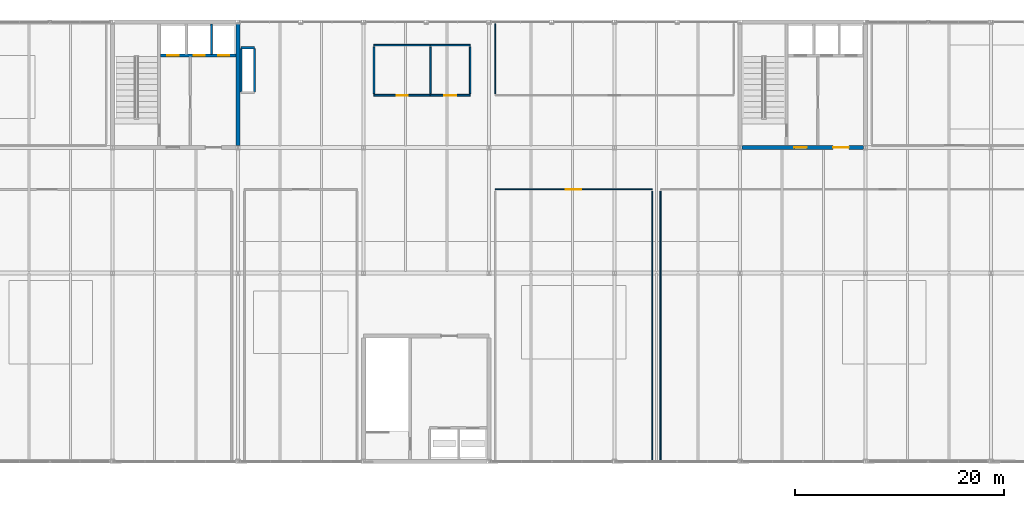
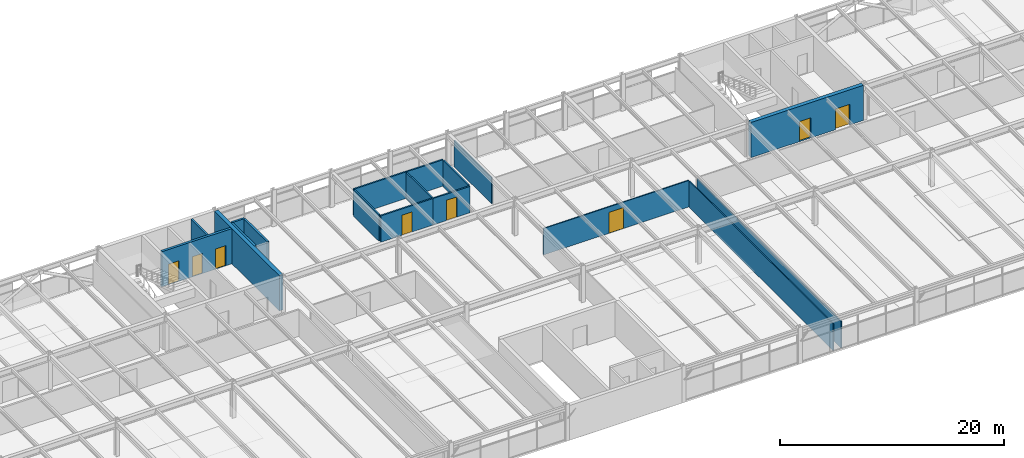
# One storey, part 46 of 52: 18 walls, 8 doors, 8 openings.
"""IFC4 building model written with IfcOpenShell, lengths in metres."""

from ifc_helpers import new_model, si_unit, direction, frame, frame_2d, origin, place, context, subcontext, project, spatial, rectangle, extrude, material, layer, layer_set, type_object, element, fill, save


model = new_model("IFC4")

# Units and contexts
model_context = context("Model", 3, precision=1e-05, world=origin(), true_north=direction((0.0, 1.0)))
body_context = subcontext(model_context, "Body", "Model", "MODEL_VIEW")
ifc_project = project(units=[si_unit("LENGTHUNIT", "METRE"), si_unit("AREAUNIT", "SQUARE_METRE"), si_unit("VOLUMEUNIT", "CUBIC_METRE"), si_unit("PLANEANGLEUNIT", "RADIAN"), si_unit("MASSUNIT", "GRAM", prefix="KILO")], contexts=[model_context])

# Site, building, storey
site_placement = place(None, origin())
site = spatial("IfcSite", under=ifc_project, at=site_placement, CompositionType="ELEMENT")
building_placement = place(site_placement, origin())
building = spatial("IfcBuilding", under=site, at=building_placement, Name="Girod Span Mobility Hub", CompositionType="ELEMENT")
storey_placement = place(building_placement, frame((0.0, 0.0, 45.60009765625)))
storey = spatial("IfcBuildingStorey", under=building, at=storey_placement, Name="L11", CompositionType="ELEMENT", Elevation=45.60009765625)

# Wall
ifc_material_1 = material(Name="Concrete C40/50", Category="concrete")
ifc_layer_1 = layer(ifc_material_1, 0.39990234375)
ifc_layer_set_1 = layer_set([ifc_layer_1], Name="Concrete C40/50")
wall_type_1 = type_object("IfcWallType", Name="W-CW-400", PredefinedType="SHEAR", material=ifc_layer_set_1)
wall_1_placement = place(storey_placement, frame((60.0, 57.193603515625, 0.0), z_axis=(0.0, 0.0, 1.0), x_axis=(0.0, 1.0, 0.0)))
element("IfcWall", 1, at=wall_1_placement, inside=storey, type_object=wall_type_1, Name="Core C1 Shear Wall E L11", PredefinedType="SHEAR", context=body_context, shape_type="SweptSolid", body=[
    extrude(rectangle(XDim=11.61279296875, YDim=0.39990234375, at=frame_2d((5.806396484375, 0.0))), origin(), (0.0, 0.0, 1.0), 3.843017578125),
])

# Wall, openings, doors
wall_2_placement = place(storey_placement, frame((108.196533203125, 57.0, 0.0), z_axis=(0.0, 0.0, 1.0), x_axis=(1.0, 0.0, 0.0)))
wall_2 = element("IfcWall", 2, at=wall_2_placement, inside=storey, type_object=wall_type_1, Name="Core C2 Shear Wall S L11", PredefinedType="SHEAR", context=body_context, shape_type="SweptSolid", body=[
    extrude(rectangle(XDim=11.60693359375, YDim=0.39990234375, at=frame_2d((5.803466796875, 0.0))), origin(), (0.0, 0.0, 1.0), 3.843017578125),
])
opening_1_placement = place(wall_2_placement, frame((5.00390625, 0.0, 0.0)))
opening_1 = element("IfcOpeningElement", 3, at=opening_1_placement, cuts=wall_2, Name="Opening D-FL-C2-L11", PredefinedType="OPENING", context=body_context, shape_type="SweptSolid", body=[
    extrude(rectangle(XDim=1.199951171875, YDim=2.199951171875, at=frame_2d((0.60009765625, 1.10009765625))), frame((0.0, 0.21484375, 0.0), z_axis=(0.0, -1.0, 0.0), x_axis=(1.0, 0.0, 0.0)), (0.0, 0.0, 1.0), 0.429931640625),
])
opening_2_placement = place(wall_2_placement, frame((8.7041015625, 0.0, 0.0)))
opening_2 = element("IfcOpeningElement", 4, at=opening_2_placement, cuts=wall_2, Name="Opening D-LB-C2-L11", PredefinedType="OPENING", context=body_context, shape_type="SweptSolid", body=[
    extrude(rectangle(XDim=1.5, YDim=2.25, at=frame_2d((0.75, 1.125))), frame((0.0, 0.21484375, 0.0), z_axis=(0.0, -1.0, 0.0), x_axis=(1.0, 0.0, 0.0)), (0.0, 0.0, 1.0), 0.429931640625),
])
ifc_material_2 = material(Name="Fire-Rated Insulated Hollow Metal Steel", Category="steel")
door_type_1 = type_object("IfcDoorType", Name="DT-FD-03", OperationType="DOUBLE_DOOR_SINGLE_SWING", PredefinedType="DOOR", material=ifc_material_2)
door_1_placement = place(opening_2_placement, origin())
door_1 = element("IfcDoor", 5, at=door_1_placement, inside=storey, type_object=door_type_1, Name="Lift Lobby Entry Door C2 L11", OperationType="DOUBLE_DOOR_SINGLE_SWING", OverallHeight=2.25, OverallWidth=1.5, PredefinedType="DOOR", context=body_context, shape_type="SweptSolid", body=[
    extrude(rectangle(XDim=1.5, YDim=2.25, at=frame_2d((0.75, 1.125))), frame((0.0, 0.02490234375, 0.0), z_axis=(0.0, -1.0, 0.0), x_axis=(1.0, 0.0, 0.0)), (0.0, 0.0, 1.0), 0.050048828125),
])
fill(opening_2, door_1)
ifc_material_3 = material(Name="Fire-Rated Insulated Hollow Metal Steel", Category="steel")
door_type_2 = type_object("IfcDoorType", Name="DT-FD-05", OperationType="NOTDEFINED", PredefinedType="DOOR", material=ifc_material_3)
door_2_placement = place(opening_1_placement, origin())
door_2 = element("IfcDoor", 6, at=door_2_placement, inside=storey, type_object=door_type_2, Name="Firefighting Lobby Entry Door C2 L11", OperationType="SINGLE_SWING_RIGHT", OverallHeight=2.199951171875, OverallWidth=1.199951171875, PredefinedType="DOOR", context=body_context, shape_type="SweptSolid", body=[
    extrude(rectangle(XDim=1.199951171875, YDim=2.199951171875, at=frame_2d((0.60009765625, 1.10009765625))), frame((0.0, 0.02490234375, 0.0), z_axis=(0.0, -1.0, 0.0), x_axis=(1.0, 0.0, 0.0)), (0.0, 0.0, 1.0), 0.050048828125),
])
fill(opening_1, door_2)

# Wall, opening, door
ifc_material_4 = material(Name="Gypsum Acoustic Operable Panel on Galvanised Steel Framing", Category="steel")
ifc_layer_2 = layer(ifc_material_4, 0.10791015625)
ifc_layer_set_2 = layer_set([ifc_layer_2], Name="Gypsum Acoustic Operable Panel on Galvanised Steel Framing")
wall_type_2 = type_object("IfcWallType", Name="W-MOV-108", PredefinedType="MOVABLE", material=ifc_layer_set_2)
wall_3_placement = place(storey_placement, frame((84.60009765625, 53.0, 0.0), z_axis=(0.0, 0.0, 1.0), x_axis=(1.0, 0.0, 0.0)))
wall_3 = element("IfcWall", 7, at=wall_3_placement, inside=storey, type_object=wall_type_2, Name="Training Classroom East Partition N", PredefinedType="MOVABLE", context=body_context, shape_type="SweptSolid", body=[
    extrude(rectangle(XDim=15.0, YDim=0.10791015625, at=frame_2d((7.5, 0.0))), origin(), (0.0, 0.0, 1.0), 2.8798828125),
])
opening_3_placement = place(wall_3_placement, frame((6.7548828125, 0.0, 0.0)))
opening_3 = element("IfcOpeningElement", 8, at=opening_3_placement, cuts=wall_3, Name="Opening D-L11-CLASS-1", PredefinedType="OPENING", context=body_context, shape_type="SweptSolid", body=[
    extrude(rectangle(XDim=1.489990234375, YDim=2.280029296875, at=frame_2d((0.7451171875, 1.14013671875))), frame((0.0, 0.06884765625, 0.0), z_axis=(0.0, -1.0, 0.0), x_axis=(1.0, 0.0, 0.0)), (0.0, 0.0, 1.0), 0.137939453125),
])
ifc_material_5 = material(Name="Solid-Core Architectural Timber", Category="wood")
door_type_3 = type_object("IfcDoorType", Name="DT-NR-13", OperationType="DOUBLE_DOOR_SINGLE_SWING", PredefinedType="DOOR", material=ifc_material_5)
door_3_placement = place(opening_3_placement, origin())
door_3 = element("IfcDoor", 9, at=door_3_placement, inside=storey, type_object=door_type_3, Name="Training Classroom East Door", OperationType="DOUBLE_DOOR_SINGLE_SWING", OverallHeight=2.280029296875, OverallWidth=1.489990234375, PredefinedType="DOOR", context=body_context, shape_type="SweptSolid", body=[
    extrude(rectangle(XDim=1.489990234375, YDim=2.280029296875, at=frame_2d((0.7451171875, 1.14013671875))), frame((0.0, 0.02490234375, 0.0), z_axis=(0.0, -1.0, 0.0), x_axis=(1.0, 0.0, 0.0)), (0.0, 0.0, 1.0), 0.050048828125),
])
fill(opening_3, door_3)

# Walls
for number, where, z_axis, x_axis, name in (
    (10, (99.60009765625, 27.139892578125, 0.0), (0.0, 0.0, 1.0), (0.0, 1.0, 0.0), "Training Classroom East Partition E"),
    (11, (100.39990234375, 27.139892578125, 0.0), (0.0, 0.0, 1.0), (0.0, 1.0, 0.0), "Office Suite Traffic Operations Partition W"),
):
    element("IfcWall", number, at=place(storey_placement, frame(where, z_axis=z_axis, x_axis=x_axis)), inside=storey, type_object=wall_type_2, Name=name, PredefinedType="MOVABLE", context=body_context, shape_type="SweptSolid", body=[
        extrude(rectangle(XDim=25.7001953125, YDim=0.10791015625, at=frame_2d((12.85009765625, 0.0))), origin(), (0.0, 0.0, 1.0), 2.8798828125),
    ])

# Wall, opening, door
ifc_material_6 = material(Name="Fire-Rated Gypsum Board on Metal Studs", Category="gypsum")
ifc_layer_3 = layer(ifc_material_6, 0.155029296875)
ifc_layer_set_3 = layer_set([ifc_layer_3], Name="Fire-Rated Gypsum Board on Metal Studs")
wall_type_3 = type_object("IfcWallType", Name="W-PLB-155", PredefinedType="PLUMBINGWALL", material=ifc_layer_set_3)
wall_4_placement = place(storey_placement, frame((73.0, 62.0, 0.0), z_axis=(0.0, 0.0, 1.0), x_axis=(1.0, 0.0, 0.0)))
wall_4 = element("IfcWall", 12, at=wall_4_placement, inside=storey, type_object=wall_type_3, Name="Restroom L11 Partition S", PredefinedType="PLUMBINGWALL", context=body_context, shape_type="SweptSolid", body=[
    extrude(rectangle(XDim=5.39990234375, YDim=0.155029296875, at=frame_2d((2.699951171875, 0.0))), origin(), (0.0, 0.0, 1.0), 2.8798828125),
])
opening_4_placement = place(wall_4_placement, frame((2.1650390625, 0.0, 0.0)))
opening_4 = element("IfcOpeningElement", 13, at=opening_4_placement, cuts=wall_4, Name="Opening D-L11-WC-MAIN", PredefinedType="OPENING", context=body_context, shape_type="SweptSolid", body=[
    extrude(rectangle(XDim=1.070068359375, YDim=2.18994140625, at=frame_2d((0.53515625, 1.094970703125))), frame((0.0, 0.092529296875, 0.0), z_axis=(0.0, -1.0, 0.0), x_axis=(1.0, 0.0, 0.0)), (0.0, 0.0, 1.0), 0.18505859375),
])
ifc_material_7 = material(Name="Solid-Core Architectural Timber", Category="wood")
door_type_4 = type_object("IfcDoorType", Name="DT-NR-05", OperationType="NOTDEFINED", PredefinedType="DOOR", material=ifc_material_7)
door_4_placement = place(opening_4_placement, origin())
door_4 = element("IfcDoor", 14, at=door_4_placement, inside=storey, type_object=door_type_4, Name="Restroom L11 Door", OperationType="SINGLE_SWING_LEFT", OverallHeight=2.18994140625, OverallWidth=1.070068359375, PredefinedType="DOOR", context=body_context, shape_type="SweptSolid", body=[
    extrude(rectangle(XDim=1.070068359375, YDim=2.18994140625, at=frame_2d((0.53515625, 1.094970703125))), frame((0.0, 0.02490234375, 0.0), z_axis=(0.0, -1.0, 0.0), x_axis=(1.0, 0.0, 0.0)), (0.0, 0.0, 1.0), 0.050048828125),
])
fill(opening_4, door_4)

# Walls
wall_5_placement = place(storey_placement, frame((73.0, 66.800048828125, 0.0), z_axis=(0.0, 0.0, 1.0), x_axis=(1.0, 0.0, 0.0)))
element("IfcWall", 15, at=wall_5_placement, inside=storey, type_object=wall_type_3, Name="Restroom L11 Partition N", PredefinedType="PLUMBINGWALL", context=body_context, shape_type="SweptSolid", body=[
    extrude(rectangle(XDim=5.39990234375, YDim=0.155029296875, at=frame_2d((2.699951171875, 0.0))), origin(), (0.0, 0.0, 1.0), 2.8798828125),
])
for number, where, z_axis, x_axis, name in (
    (16, (73.0, 62.159912109375, 0.0), (0.0, 0.0, 1.0), (0.0, 1.0, 0.0), "Restroom L11 Partition W"),
    (17, (78.39990234375, 62.159912109375, 0.0), (0.0, 0.0, 1.0), (0.0, 1.0, 0.0), "Restroom L11 Partition E"),
):
    element("IfcWall", number, at=place(storey_placement, frame(where, z_axis=z_axis, x_axis=x_axis)), inside=storey, type_object=wall_type_3, Name=name, PredefinedType="PLUMBINGWALL", context=body_context, shape_type="SweptSolid", body=[
        extrude(rectangle(XDim=4.47998046875, YDim=0.155029296875, at=frame_2d((2.239990234375, 0.0))), origin(), (0.0, 0.0, 1.0), 2.8798828125),
    ])

# Wall, opening, door
wall_6_placement = place(storey_placement, frame((78.39990234375, 62.0, 0.0), z_axis=(0.0, 0.0, 1.0), x_axis=(1.0, 0.0, 0.0)))
wall_6 = element("IfcWall", 18, at=wall_6_placement, inside=storey, type_object=wall_type_3, Name="Accessible WC L11 Partition S", PredefinedType="PLUMBINGWALL", context=body_context, shape_type="SweptSolid", body=[
    extrude(rectangle(XDim=3.800048828125, YDim=0.155029296875, at=frame_2d((1.89990234375, 0.0))), origin(), (0.0, 0.0, 1.0), 2.8798828125),
])
opening_5_placement = place(wall_6_placement, frame((1.344970703125, 0.0, 0.0)))
opening_5 = element("IfcOpeningElement", 19, at=opening_5_placement, cuts=wall_6, Name="Opening D-L11-WC-ACC", PredefinedType="OPENING", context=body_context, shape_type="SweptSolid", body=[
    extrude(rectangle(XDim=1.110107421875, YDim=2.2099609375, at=frame_2d((0.55517578125, 1.10498046875))), frame((0.0, 0.092529296875, 0.0), z_axis=(0.0, -1.0, 0.0), x_axis=(1.0, 0.0, 0.0)), (0.0, 0.0, 1.0), 0.18505859375),
])
ifc_material_8 = material(Name="Solid-Core Architectural Timber", Category="wood")
door_type_5 = type_object("IfcDoorType", Name="DT-NR-06", OperationType="NOTDEFINED", PredefinedType="DOOR", material=ifc_material_8)
door_5_placement = place(opening_5_placement, origin())
door_5 = element("IfcDoor", 20, at=door_5_placement, inside=storey, type_object=door_type_5, Name="Accessible WC L11 Door", OperationType="SINGLE_SWING_RIGHT", OverallHeight=2.2099609375, OverallWidth=1.110107421875, PredefinedType="DOOR", context=body_context, shape_type="SweptSolid", body=[
    extrude(rectangle(XDim=1.110107421875, YDim=2.2099609375, at=frame_2d((0.55517578125, 1.10498046875))), frame((0.0, 0.02490234375, 0.0), z_axis=(0.0, -1.0, 0.0), x_axis=(1.0, 0.0, 0.0)), (0.0, 0.0, 1.0), 0.050048828125),
])
fill(opening_5, door_5)

# Walls
wall_7_placement = place(storey_placement, frame((78.39990234375, 66.800048828125, 0.0), z_axis=(0.0, 0.0, 1.0), x_axis=(1.0, 0.0, 0.0)))
element("IfcWall", 21, at=wall_7_placement, inside=storey, type_object=wall_type_3, Name="Accessible WC L11 Partition N", PredefinedType="PLUMBINGWALL", context=body_context, shape_type="SweptSolid", body=[
    extrude(rectangle(XDim=3.800048828125, YDim=0.155029296875, at=frame_2d((1.89990234375, 0.0))), origin(), (0.0, 0.0, 1.0), 2.8798828125),
])
wall_8_placement = place(storey_placement, frame((82.199951171875, 62.159912109375, 0.0), z_axis=(0.0, 0.0, 1.0), x_axis=(0.0, 1.0, 0.0)))
element("IfcWall", 22, at=wall_8_placement, inside=storey, type_object=wall_type_3, Name="Accessible WC L11 Partition E", PredefinedType="PLUMBINGWALL", context=body_context, shape_type="SweptSolid", body=[
    extrude(rectangle(XDim=4.47998046875, YDim=0.155029296875, at=frame_2d((2.239990234375, 0.0))), origin(), (0.0, 0.0, 1.0), 2.8798828125),
])
ifc_material_9 = material(Name="Fire-Rated Gypsum Board on Metal Studs", Category="gypsum")
ifc_layer_4 = layer(ifc_material_9, 0.097900390625)
ifc_layer_set_4 = layer_set([ifc_layer_4], Name="Fire-Rated Gypsum Board on Metal Studs")
wall_type_4 = type_object("IfcWallType", Name="W-PT-098", PredefinedType="PARTITIONING", material=ifc_layer_set_4)
wall_9_placement = place(storey_placement, frame((84.60009765625, 62.159912109375, 0.0), z_axis=(0.0, 0.0, 1.0), x_axis=(0.0, 1.0, 0.0)))
element("IfcWall", 23, at=wall_9_placement, inside=storey, type_object=wall_type_4, Name="Planning Studio North Partition W", PredefinedType="PARTITIONING", context=body_context, shape_type="SweptSolid", body=[
    extrude(rectangle(XDim=6.7001953125, YDim=0.097900390625, at=frame_2d((3.35009765625, 0.0))), origin(), (0.0, 0.0, 1.0), 2.8798828125),
])
ifc_material_10 = material(Name="Concrete C40/50", Category="concrete")
ifc_layer_5 = layer(ifc_material_10, 0.199951171875)
ifc_layer_set_5 = layer_set([ifc_layer_5], Name="Concrete C40/50")
wall_type_5 = type_object("IfcWallType", Name="W-SH-200", PredefinedType="SOLIDWALL", material=ifc_layer_set_5)
wall_10_placement = place(storey_placement, frame((60.297119140625, 66.550048828125, 0.0), z_axis=(0.0, 0.0, 1.0), x_axis=(1.0, 0.0, 0.0)))
element("IfcWall", 24, at=wall_10_placement, inside=storey, type_object=wall_type_5, Name="Sanitary Wet Riser Shaft Wall N L11", PredefinedType="SOLIDWALL", context=body_context, shape_type="SweptSolid", body=[
    extrude(rectangle(XDim=1.282958984375, YDim=0.199951171875, at=frame_2d((0.6416015625, 0.0))), origin(), (0.0, 0.0, 1.0), 3.843017578125),
])
for number, where, z_axis, x_axis, name in (
    (25, (60.297119140625, 62.330078125, 0.0), (0.0, 0.0, 1.0), (0.0, 1.0, 0.0), "Sanitary Wet Riser Shaft Wall W L11"),
    (26, (61.580078125, 62.330078125, 0.0), (0.0, 0.0, 1.0), (0.0, 1.0, 0.0), "Sanitary Wet Riser Shaft Wall E L11"),
):
    element("IfcWall", number, at=place(storey_placement, frame(where, z_axis=z_axis, x_axis=x_axis)), inside=storey, type_object=wall_type_5, Name=name, PredefinedType="SOLIDWALL", context=body_context, shape_type="SweptSolid", body=[
        extrude(rectangle(XDim=4.139892578125, YDim=0.199951171875, at=frame_2d((2.06982421875, 0.0))), origin(), (0.0, 0.0, 1.0), 3.843017578125),
    ])
wall_11_placement = place(storey_placement, frame((57.47998046875, 65.919921875, 0.0), z_axis=(0.0, 0.0, 1.0), x_axis=(0.0, 1.0, 0.0)))
element("IfcWall", 27, at=wall_11_placement, inside=storey, type_object=wall_type_5, Name="Core C1 Shaft Divider 2 L11", PredefinedType="SOLIDWALL", context=body_context, shape_type="SweptSolid", body=[
    extrude(rectangle(XDim=2.880126953125, YDim=0.199951171875, at=frame_2d((1.43994140625, 0.0))), origin(), (0.0, 0.0, 1.0), 3.8330078125),
])

# Wall, openings, doors
ifc_material_11 = material(Name="Concrete C40/50", Category="concrete")
ifc_layer_6 = layer(ifc_material_11, 0.25)
ifc_layer_set_6 = layer_set([ifc_layer_6], Name="Concrete C40/50")
wall_type_6 = type_object("IfcWallType", Name="W-SH-250", PredefinedType="SOLIDWALL", material=ifc_layer_set_6)
wall_12_placement = place(storey_placement, frame((52.596923828125, 65.800048828125, 0.0), z_axis=(0.0, 0.0, 1.0), x_axis=(1.0, 0.0, 0.0)))
wall_12 = element("IfcWall", 28, at=wall_12_placement, inside=storey, type_object=wall_type_6, Name="Core C1 Hoistway Front Wall L11", PredefinedType="SOLIDWALL", context=body_context, shape_type="SweptSolid", body=[
    extrude(rectangle(XDim=7.2060546875, YDim=0.25, at=frame_2d((3.60302734375, 0.0))), origin(), (0.0, 0.0, 1.0), 3.843017578125),
])
opening_6_placement = place(wall_12_placement, frame((0.653076171875, 0.0, 0.0)))
opening_6 = element("IfcOpeningElement", 29, at=opening_6_placement, cuts=wall_12, Name="Opening LD-FL-1-L11", PredefinedType="OPENING", context=body_context, shape_type="SweptSolid", body=[
    extrude(rectangle(XDim=1.10009765625, YDim=2.239990234375, at=frame_2d((0.550048828125, 1.1201171875))), frame((0.0, 0.139892578125, 0.0), z_axis=(0.0, -1.0, 0.0), x_axis=(1.0, 0.0, 0.0)), (0.0, 0.0, 1.0), 0.280029296875),
])
opening_7_placement = place(wall_12_placement, frame((3.153076171875, 0.0, 0.0)))
opening_7 = element("IfcOpeningElement", 30, at=opening_7_placement, cuts=wall_12, Name="Opening LD-LP-1-L11", PredefinedType="OPENING", context=body_context, shape_type="SweptSolid", body=[
    extrude(rectangle(XDim=1.050048828125, YDim=2.199951171875, at=frame_2d((0.52490234375, 1.10009765625))), frame((0.0, 0.139892578125, 0.0), z_axis=(0.0, -1.0, 0.0), x_axis=(1.0, 0.0, 0.0)), (0.0, 0.0, 1.0), 0.280029296875),
])
opening_8_placement = place(wall_12_placement, frame((5.528076171875, 0.0, 0.0)))
opening_8 = element("IfcOpeningElement", 31, at=opening_8_placement, cuts=wall_12, Name="Opening LD-LP-2-L11", PredefinedType="OPENING", context=body_context, shape_type="SweptSolid", body=[
    extrude(rectangle(XDim=1.050048828125, YDim=2.199951171875, at=frame_2d((0.52490234375, 1.10009765625))), frame((0.0, 0.139892578125, 0.0), z_axis=(0.0, -1.0, 0.0), x_axis=(1.0, 0.0, 0.0)), (0.0, 0.0, 1.0), 0.280029296875),
])
ifc_material_12 = material(Name="Brushed Stainless Steel Grade 304", Category="steel")
door_type_6 = type_object("IfcDoorType", Name="LD-FL-110", OperationType="SLIDING_TO_LEFT", PredefinedType="USERDEFINED", material=ifc_material_12)
door_6_placement = place(opening_6_placement, origin())
door_6 = element("IfcDoor", 32, at=door_6_placement, inside=storey, type_object=door_type_6, Name="Lift FL-1 Sliding Landing Door L11", ObjectType="LANDING DOOR", OperationType="SLIDING_TO_LEFT", OverallHeight=2.239990234375, OverallWidth=1.10009765625, PredefinedType="USERDEFINED", context=body_context, shape_type="SweptSolid", body=[
    extrude(rectangle(XDim=1.10009765625, YDim=2.239990234375, at=frame_2d((0.550048828125, 1.1201171875))), frame((0.0, 0.02490234375, 0.0), z_axis=(0.0, -1.0, 0.0), x_axis=(1.0, 0.0, 0.0)), (0.0, 0.0, 1.0), 0.050048828125),
])
fill(opening_6, door_6)
ifc_material_13 = material(Name="Brushed Stainless Steel Grade 304", Category="steel")
door_type_7 = type_object("IfcDoorType", Name="LD-LP-105", OperationType="SLIDING_TO_LEFT", PredefinedType="USERDEFINED", material=ifc_material_13)
door_7_placement = place(opening_7_placement, origin())
door_7 = element("IfcDoor", 33, at=door_7_placement, inside=storey, type_object=door_type_7, Name="Lift LP-1 Sliding Landing Door L11", ObjectType="LANDING DOOR", OperationType="SLIDING_TO_LEFT", OverallHeight=2.199951171875, OverallWidth=1.050048828125, PredefinedType="USERDEFINED", context=body_context, shape_type="SweptSolid", body=[
    extrude(rectangle(XDim=1.050048828125, YDim=2.199951171875, at=frame_2d((0.52490234375, 1.10009765625))), frame((0.0, 0.02490234375, 0.0), z_axis=(0.0, -1.0, 0.0), x_axis=(1.0, 0.0, 0.0)), (0.0, 0.0, 1.0), 0.050048828125),
])
fill(opening_7, door_7)
door_8_placement = place(opening_8_placement, origin())
door_8 = element("IfcDoor", 34, at=door_8_placement, inside=storey, type_object=door_type_7, Name="Lift LP-2 Sliding Landing Door L11", ObjectType="LANDING DOOR", OperationType="SLIDING_TO_LEFT", OverallHeight=2.199951171875, OverallWidth=1.050048828125, PredefinedType="USERDEFINED", context=body_context, shape_type="SweptSolid", body=[
    extrude(rectangle(XDim=1.050048828125, YDim=2.199951171875, at=frame_2d((0.52490234375, 1.10009765625))), frame((0.0, 0.02490234375, 0.0), z_axis=(0.0, -1.0, 0.0), x_axis=(1.0, 0.0, 0.0)), (0.0, 0.0, 1.0), 0.050048828125),
])
fill(opening_8, door_8)

save(model, "model.ifc")
